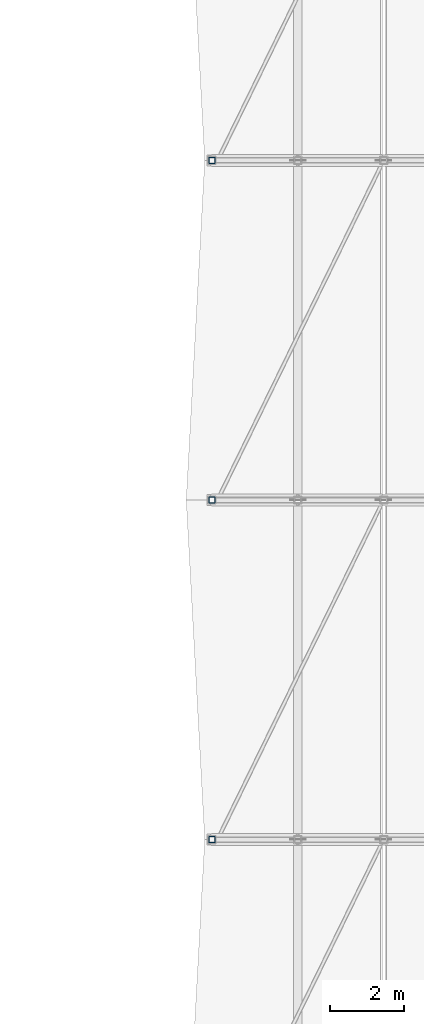
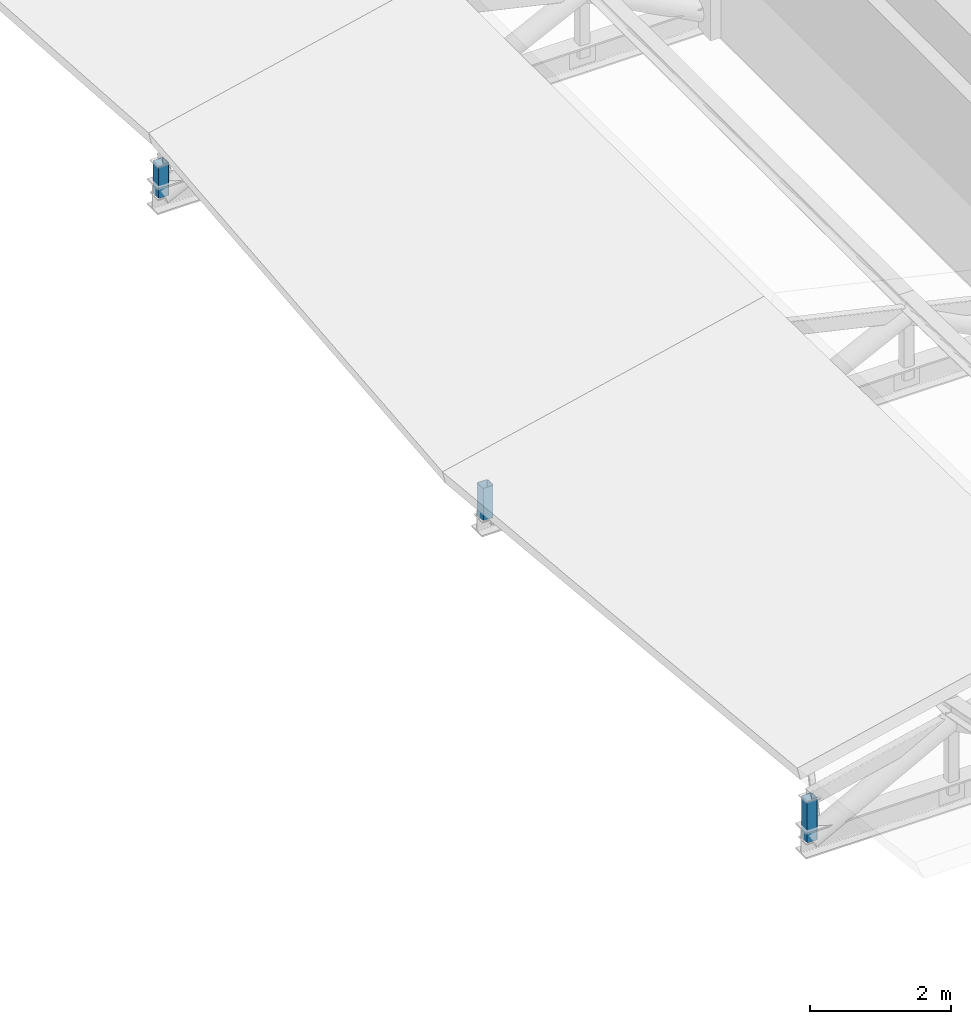
# One storey, part 50 of 90: 3 members.
"""IFC4 building model written with IfcOpenShell, lengths in metres."""

from ifc_helpers import new_model, si_unit, direction, frame, origin, origin_2d, place, context, subcontext, project, spatial, hollow_rectangle, extrude, material, material_profile, profile_set, type_object, element, save


model = new_model("IFC4")

# Units and contexts
model_context = context("Model", 3, precision=1e-05, world=origin(), true_north=direction((0.0, 1.0)))
body_context = subcontext(model_context, "Body", "Model", "MODEL_VIEW")
ifc_project = project(units=[si_unit("LENGTHUNIT", "METRE"), si_unit("AREAUNIT", "SQUARE_METRE"), si_unit("VOLUMEUNIT", "CUBIC_METRE"), si_unit("PLANEANGLEUNIT", "RADIAN"), si_unit("MASSUNIT", "GRAM", prefix="KILO")], contexts=[model_context])

# Site, building, storey
site_placement = place(None, origin())
site = spatial("IfcSite", under=ifc_project, at=site_placement, CompositionType="ELEMENT")
building_placement = place(site_placement, origin())
building = spatial("IfcBuilding", under=site, at=building_placement, Name="Bozkorgan Art Gallery", CompositionType="ELEMENT")
storey_placement = place(building_placement, frame((0.0, 0.0, 5.39990234375)))
storey = spatial("IfcBuildingStorey", under=building, at=storey_placement, Name="L01", CompositionType="ELEMENT", Elevation=5.39990234375)

# Members
ifc_material = material(Name="Steel S355J2", Category="steel")
ifc_material_profile = material_profile(ifc_material, hollow_rectangle(XDim=0.179931640625, YDim=0.179931640625, WallThickness=0.010009765625, InnerFilletRadius=0.014892578125, OuterFilletRadius=0.02490234375, at=origin_2d()), Name="SHS 180x180x10")
ifc_profile_set = profile_set([ifc_material_profile], Name="Steel S355J2")
member_type = type_object("IfcMemberType", Name="MEMBER-TP-98", PredefinedType="POST", material=ifc_profile_set)
member_placement = place(storey_placement, frame((127.85009765625, 75.199951171875, 0.22509765625), z_axis=(0.0, 0.0, 1.0), x_axis=(1.0, 0.0, 0.0)))
element("IfcMember", 1, at=member_placement, inside=storey, type_object=member_type, Name="ROOF-V5-DOCK roof truss 2 post 0", PredefinedType="POST", context=body_context, shape_type="SweptSolid", body=[
    extrude(hollow_rectangle(XDim=0.179931640625, YDim=0.179931640625, WallThickness=0.010009765625, InnerFilletRadius=0.014892578125, OuterFilletRadius=0.02490234375, at=origin_2d()), origin(), (0.0, 0.0, 1.0), 0.715576171875),
])
for number, where, z_axis, x_axis, name in (
    (2, (127.85009765625, 84.39990234375, 0.22509765625), (0.0, 0.0, 1.0), (1.0, 0.0, 0.0), "ROOF-V5-DOCK roof truss 3 post 0"),
    (3, (127.85009765625, 93.60009765625, 0.22509765625), (0.0, 0.0, 1.0), (1.0, 0.0, 0.0), "ROOF-V5-DOCK roof truss 4 post 0"),
):
    element("IfcMember", number, at=place(storey_placement, frame(where, z_axis=z_axis, x_axis=x_axis)), inside=storey, type_object=member_type, Name=name, PredefinedType="POST", context=body_context, shape_type="SweptSolid", body=[
        extrude(hollow_rectangle(XDim=0.179931640625, YDim=0.179931640625, WallThickness=0.010009765625, InnerFilletRadius=0.014892578125, OuterFilletRadius=0.02490234375, at=origin_2d()), origin(), (0.0, 0.0, 1.0), 0.557861328125),
    ])

save(model, "model.ifc")
